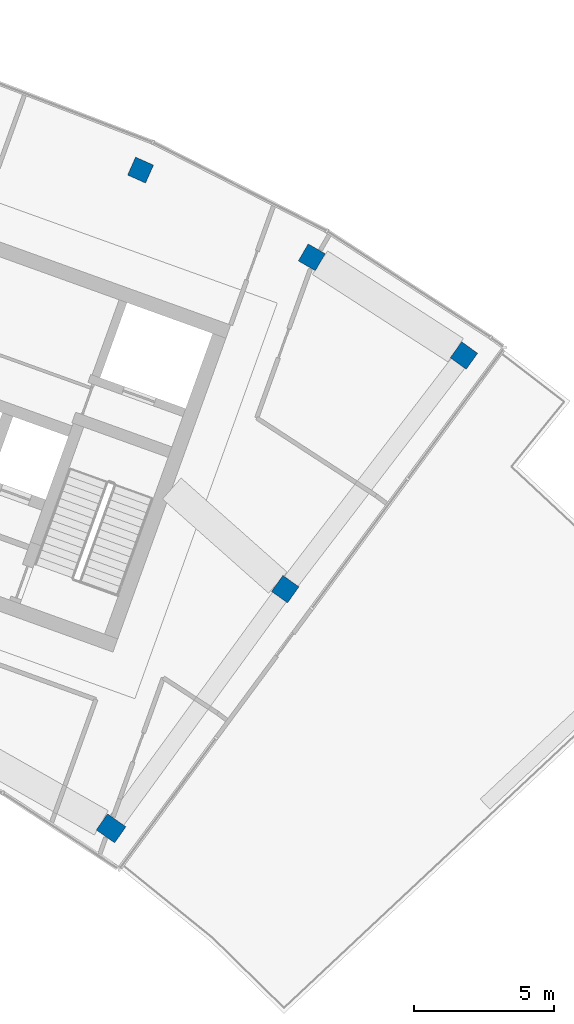
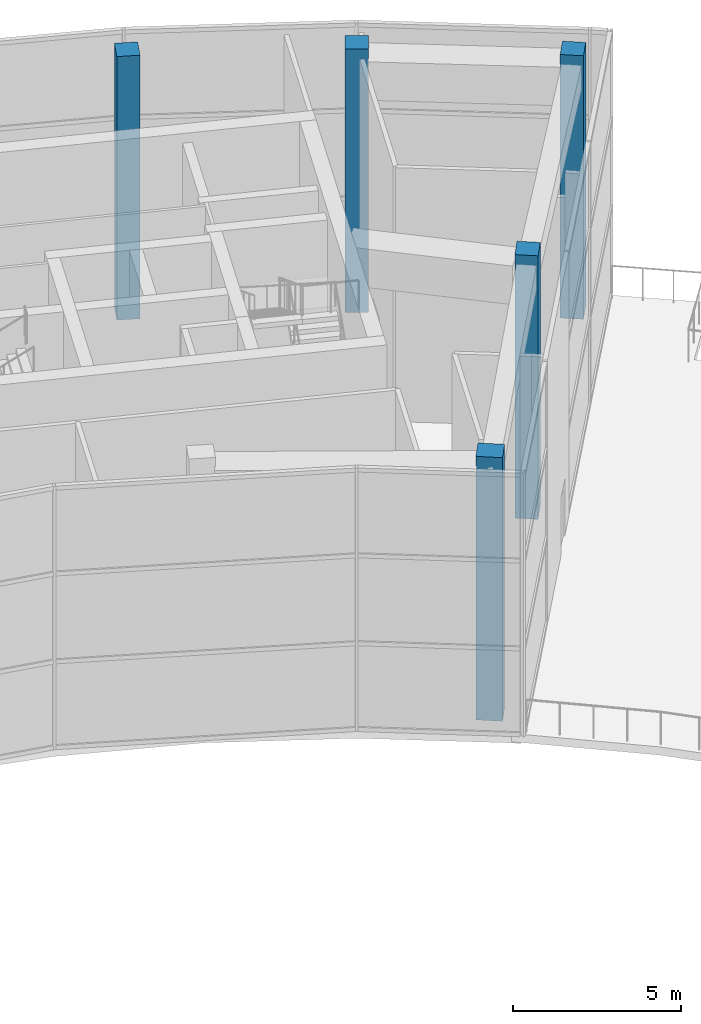
# One storey, part 3 of 20: 5 columns.
"""IFC4 building model written with IfcOpenShell, lengths in metres."""

from ifc_helpers import new_model, si_unit, direction, frame, origin, origin_2d, place, context, subcontext, project, spatial, rectangle, extrude, material, material_profile, profile_set, type_object, element, save


model = new_model("IFC4")

# Units and contexts
model_context = context("Model", 3, precision=1e-05, world=origin(), true_north=direction((0.0, 1.0)))
body_context = subcontext(model_context, "Body", "Model", "MODEL_VIEW")
ifc_project = project(units=[si_unit("LENGTHUNIT", "METRE"), si_unit("AREAUNIT", "SQUARE_METRE"), si_unit("VOLUMEUNIT", "CUBIC_METRE"), si_unit("PLANEANGLEUNIT", "RADIAN"), si_unit("MASSUNIT", "GRAM", prefix="KILO")], contexts=[model_context])

# Site, building, storey
site_placement = place(None, origin())
site = spatial("IfcSite", under=ifc_project, at=site_placement, CompositionType="ELEMENT")
building_placement = place(site_placement, origin())
building = spatial("IfcBuilding", under=site, at=building_placement, Name="Stone Belt Terrace Tower", CompositionType="ELEMENT")
storey_placement = place(building_placement, frame((0.0, 0.0, 323.0)))
storey = spatial("IfcBuildingStorey", under=building, at=storey_placement, Name="L78", CompositionType="ELEMENT", Elevation=323.0)

# Columns
ifc_material = material(Name="Concrete B60", Category="concrete")
ifc_material_profile_1 = material_profile(ifc_material, rectangle(XDim=0.699951171875, YDim=0.699951171875, at=origin_2d()), Name="RC 700x700")
ifc_profile_set_1 = profile_set([ifc_material_profile_1], Name="Concrete B60")
column_type_1 = type_object("IfcColumnType", Name="Column RC 700x700 B60", PredefinedType="COLUMN", material=ifc_profile_set_1)
for number, where, z_axis, x_axis, name in (
    (1, (31.798095703125, 44.876220703125, 0.0), (0.0, 0.0, 1.0), (0.815933811896, -0.578145323084, 0.0), "Column L78 QB"),
    (2, (26.63671875, 59.8271484375, 0.0), (0.0, 0.0, 1.0), (0.913545457643, -0.406736643076, 0.0), "Column L78 R26"),
    (3, (32.744384765625, 56.715087890625, 0.0), (0.0, 0.0, 1.0), (0.866025403784, -0.5, 0.0), "Column L78 R27"),
    (4, (38.174560546875, 53.211669921875, 0.0), (0.0, 0.0, 1.0), (0.812531414869, -0.58291740397, 0.0), "Column L78 RB"),
):
    element("IfcColumn", number, at=place(storey_placement, frame(where, z_axis=z_axis, x_axis=x_axis)), inside=storey, type_object=column_type_1, Name=name, PredefinedType="COLUMN", context=body_context, shape_type="SweptSolid", body=[
        extrude(rectangle(XDim=0.699951171875, YDim=0.699951171875, at=origin_2d()), origin(), (0.0, 0.0, 1.0), 9.60009765625),
    ])
ifc_material_profile_2 = material_profile(ifc_material, rectangle(XDim=0.800048828125, YDim=0.699951171875, at=origin_2d()), Name="RC 800x700")
ifc_profile_set_2 = profile_set([ifc_material_profile_2], Name="Concrete B60")
column_type_2 = type_object("IfcColumnType", Name="Column RC 800x700 B60", PredefinedType="COLUMN", material=ifc_profile_set_2)
column_placement = place(storey_placement, frame((25.585205078125, 36.342041015625, 0.0), z_axis=(0.0, 0.0, 1.0), x_axis=(0.817687809993, -0.575661919349, 0.0)))
element("IfcColumn", 5, at=column_placement, inside=storey, type_object=column_type_2, Name="Column L78 PB", PredefinedType="COLUMN", context=body_context, shape_type="SweptSolid", body=[
    extrude(rectangle(XDim=0.800048828125, YDim=0.699951171875, at=origin_2d()), origin(), (0.0, 0.0, 1.0), 9.60009765625),
])

save(model, "model.ifc")
